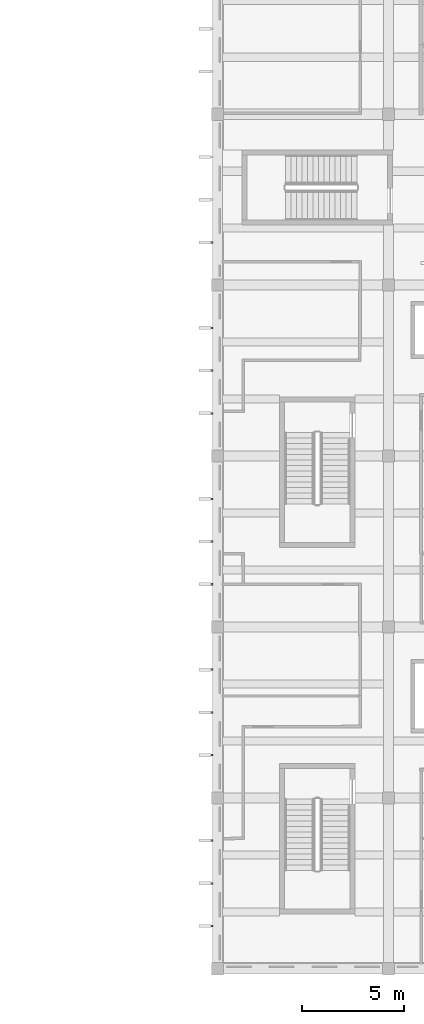
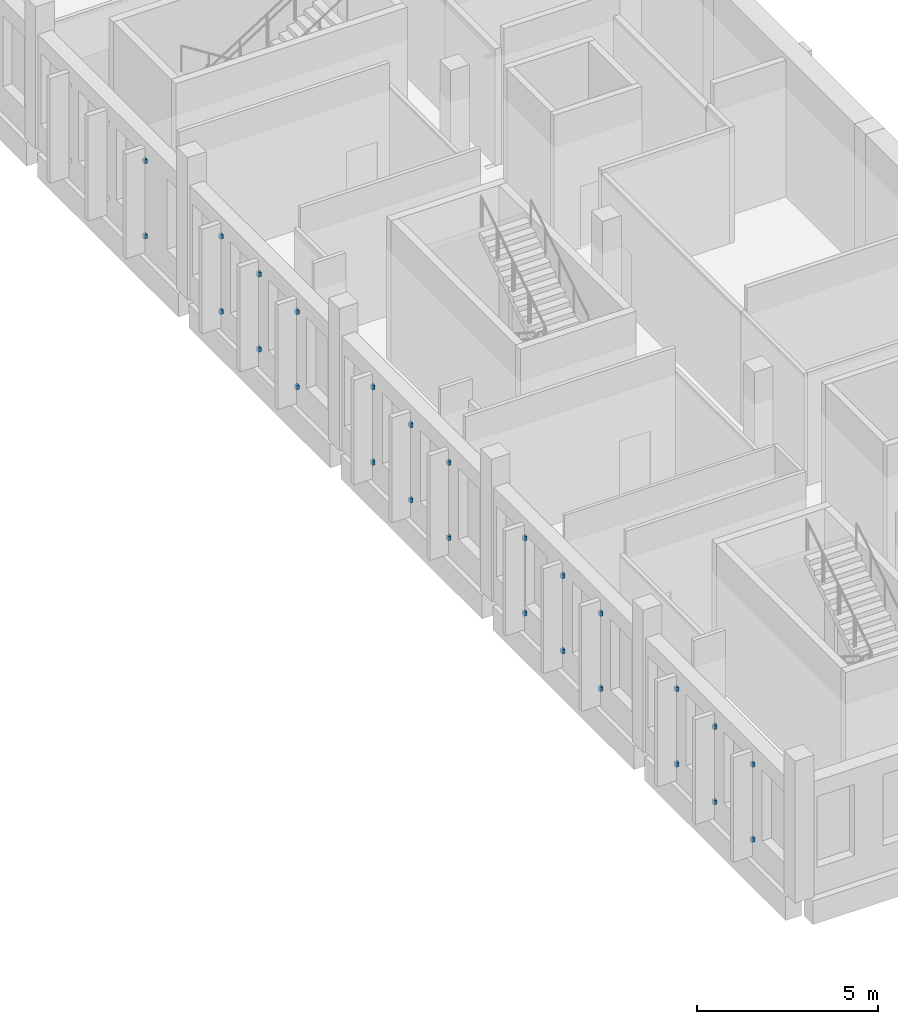
# One storey, part 73 of 103: 26 discrete accessories.
"""IFC4 building model written with IfcOpenShell, lengths in metres."""

import ifcopenshell
import ifcopenshell.guid

model = None  # the IFC model being written
_history = None  # IfcOwnerHistory: only IFC2X3 demands one
_inside = {}  # id of a spatial element -> (the spatial element, [elements in it])
_under = {}  # id of a project, library or spatial element -> (it, [spatial elements below it])
_declared = {}  # id of a project -> (the project, [libraries it declares])
_typed = {}  # id of a type object -> (the type object, [elements of that type])
_made_of = {}  # id of a material, layer set ... -> (it, [elements and type objects made of it])


def new_model(schema):
    """Start an empty IFC model of exactly this schema.

    Asked for "IFC4X3", IfcOpenShell would pick the latest addendum, in which some entities
    have other attributes; the version numbers below select the first issue.
    IFC2X3 requires an IfcOwnerHistory on every rooted entity: one is made here for all.
    """
    global model, _history
    if schema == "IFC4X3":
        model = ifcopenshell.file(schema_version=(4, 3, 0, 0))
    else:
        model = ifcopenshell.file(schema=schema)
    _inside.clear()
    _under.clear()
    _declared.clear()
    _typed.clear()
    _made_of.clear()
    _history = None
    if model.schema == "IFC2X3":
        org = make("IfcOrganization", Name="unknown")
        user = make(
            "IfcPersonAndOrganization",
            ThePerson=make("IfcPerson", FamilyName="unknown"),
            TheOrganization=org,
        )
        app = make(
            "IfcApplication",
            ApplicationDeveloper=org,
            Version="unknown",
            ApplicationFullName="unknown",
            ApplicationIdentifier="unknown",
        )
        _history = make(
            "IfcOwnerHistory",
            OwningUser=user,
            OwningApplication=app,
            ChangeAction="ADDED",
            CreationDate=0,
        )
    return model


def make(cls, **values):
    """One entity of the class cls with the attributes given. An attribute that is None is left unset."""
    return model.create_entity(
        cls, **{name: value for name, value in values.items() if value is not None}
    )


def rooted(cls, **values):
    """An entity with a GlobalId (a new one), such as an element, a storey or a relation."""
    return make(cls, GlobalId=ifcopenshell.guid.new(), OwnerHistory=_history, **values)


def si_unit(unit_type, name, prefix=None):
    """IfcSIUnit, for example si_unit("LENGTHUNIT", "METRE", prefix="MILLI")."""
    return make("IfcSIUnit", UnitType=unit_type, Prefix=prefix, Name=name)


def assignment(units):
    """IfcUnitAssignment: the units of a project."""
    return None if units is None else make("IfcUnitAssignment", Units=units)


def point(xyz):
    """IfcCartesianPoint."""
    return None if xyz is None else make("IfcCartesianPoint", Coordinates=xyz)


def direction(xyz):
    """IfcDirection."""
    return None if xyz is None else make("IfcDirection", DirectionRatios=xyz)


def frame(location, z_axis=None, x_axis=None):
    """IfcAxis2Placement3D, a coordinate frame: its origin and axes. An axis left out is left unset."""
    return make(
        "IfcAxis2Placement3D",
        Location=point(location),
        Axis=direction(z_axis),
        RefDirection=direction(x_axis),
    )


def frame_2d(location, x_axis=None):
    """IfcAxis2Placement2D, a coordinate frame in the plane: its origin and x axis."""
    return make(
        "IfcAxis2Placement2D", Location=point(location), RefDirection=direction(x_axis)
    )


def origin():
    """The frame at (0, 0, 0) with its axes left unset."""
    return frame((0.0, 0.0, 0.0))


def origin_2d():
    """The frame at (0, 0) in the plane with its x axis left unset."""
    return frame_2d((0.0, 0.0))


def place(relative_to, where):
    """IfcLocalPlacement: puts the frame where relative to a parent placement (None: the world)."""
    return make(
        "IfcLocalPlacement", PlacementRelTo=relative_to, RelativePlacement=where
    )


def context(
    kind, dimensions, precision=None, world=None, true_north=None, identifier=None
):
    """IfcGeometricRepresentationContext, for example the 3D "Model" context."""
    return make(
        "IfcGeometricRepresentationContext",
        ContextIdentifier=identifier,
        ContextType=kind,
        CoordinateSpaceDimension=dimensions,
        Precision=precision,
        WorldCoordinateSystem=world,
        TrueNorth=true_north,
    )


def subcontext(parent, identifier, kind, view, scale=None):
    """IfcGeometricRepresentationSubContext, for example "Body" below "Model"."""
    return make(
        "IfcGeometricRepresentationSubContext",
        ContextIdentifier=identifier,
        ContextType=kind,
        ParentContext=parent,
        TargetScale=scale,
        TargetView=view,
    )


def project(units=None, contexts=None):
    """IfcProject with its units and contexts."""
    return rooted(
        "IfcProject",
        Name="project",
        RepresentationContexts=contexts,
        UnitsInContext=assignment(units),
    )


def spatial(cls, under=None, at=None, **own):
    """A site, building, storey or space (cls), placed at a placement, below another one or the project."""
    s = rooted(cls, ObjectPlacement=at, **own)
    if under is not None:
        _under.setdefault(under.id(), (under, []))[1].append(s)
    return s


def profile(cls, at=None, kind="AREA", **sizes):
    """A parametric profile (cls). Its sizes go by their IFC names, for example OverallWidth=200.0."""
    return make(cls, ProfileType=kind, Position=at, **sizes)


def rectangle(**sizes):
    """IfcRectangleProfileDef."""
    return profile("IfcRectangleProfileDef", **sizes)


def extrude(swept, where, along, depth):
    """IfcExtrudedAreaSolid: the profile swept, set in the frame where, extruded along a direction by depth."""
    return make(
        "IfcExtrudedAreaSolid",
        SweptArea=swept,
        Position=where,
        ExtrudedDirection=direction(along),
        Depth=depth,
    )


def shape(context_of_items, identifier, shape_type, items):
    """IfcShapeRepresentation: the items that make up one representation, for example the "Body"."""
    return make(
        "IfcShapeRepresentation",
        ContextOfItems=context_of_items,
        RepresentationIdentifier=identifier,
        RepresentationType=shape_type,
        Items=items,
    )


def material(Name=None, Category=None):
    """IfcMaterial."""
    return make("IfcMaterial", Name=Name, Category=Category)


def layer(
    of_material, thickness, ventilated=None, Name=None, Category=None, Priority=None
):
    """IfcMaterialLayer: one layer of a wall or slab, of a material (None: an air gap)."""
    return make(
        "IfcMaterialLayer",
        Material=of_material,
        LayerThickness=thickness,
        IsVentilated=ventilated,
        Name=Name,
        Category=Category,
        Priority=Priority,
    )


def layer_set(layers, Name=None):
    """IfcMaterialLayerSet."""
    return make("IfcMaterialLayerSet", MaterialLayers=layers, LayerSetName=Name)


def made_of(thing, what):
    """Note that an element or type object is made of a material, layer set ...; save() writes the relation."""
    if what is not None:
        _made_of.setdefault(what.id(), (what, []))[1].append(thing)
    return thing


def type_object(cls, material=None, **own):
    """A type object (cls), such as IfcWallType, which elements share."""
    return made_of(rooted(cls, **own), material)


def element(
    cls,
    number,
    at=None,
    inside=None,
    cuts=None,
    type_object=None,
    material=None,
    context=None,
    identifier="Body",
    shape_type=None,
    held_by="IfcProductDefinitionShape",
    body=None,
    shapes=None,
    **own,
):
    """One element of the class cls, such as IfcWall. Its Tag is "e" and its number.

    at: its placement. inside: the storey or other place that contains it. cuts: it is an
    opening in that element (IfcRelVoidsElement). A single representation is given by context,
    identifier, shape_type and body (its items); several are given by shapes. held_by: the class
    of the entity that holds the representations. save() writes the other relations.
    """
    e = rooted(cls, Tag="e%d" % number, ObjectPlacement=at, **own)
    if body is not None:
        shapes = [shape(context, identifier, shape_type, body)]
    if shapes is not None:
        e.Representation = make(held_by, Representations=shapes)
    if inside is not None:
        _inside.setdefault(inside.id(), (inside, []))[1].append(e)
    if cuts is not None:
        rooted(
            "IfcRelVoidsElement", RelatingBuildingElement=cuts, RelatedOpeningElement=e
        )
    if type_object is not None:
        _typed.setdefault(type_object.id(), (type_object, []))[1].append(e)
    return made_of(e, material)


def aggregate(whole, parts):
    """IfcRelAggregates: a whole, such as a stair, and the parts it consists of."""
    return rooted("IfcRelAggregates", RelatingObject=whole, RelatedObjects=parts)


def save(model, path):
    """Write the relations noted so far, then the file.

    IfcRelAggregates (storeys below a building ...), IfcRelContainedInSpatialStructure (elements
    in a storey), IfcRelDefinesByType, IfcRelAssociatesMaterial and IfcRelDeclares: one each for
    every whole, place, type object, material and project.
    """
    for whole, parts in _under.values():
        aggregate(whole, parts)
    for where, things in _inside.values():
        rooted(
            "IfcRelContainedInSpatialStructure",
            RelatedElements=things,
            RelatingStructure=where,
        )
    for kind, things in _typed.values():
        rooted("IfcRelDefinesByType", RelatedObjects=things, RelatingType=kind)
    for what, things in _made_of.values():
        rooted("IfcRelAssociatesMaterial", RelatedObjects=things, RelatingMaterial=what)
    for by, libraries in _declared.values():
        rooted("IfcRelDeclares", RelatingContext=by, RelatedDefinitions=libraries)
    model.write(path)


model = new_model("IFC4")

# Units and contexts
model_context = context("Model", 3, precision=1e-05, world=origin(), true_north=direction((0.0, 1.0)))
body_context = subcontext(model_context, "Body", "Model", "MODEL_VIEW")
ifc_project = project(units=[si_unit("LENGTHUNIT", "METRE"), si_unit("AREAUNIT", "SQUARE_METRE"), si_unit("VOLUMEUNIT", "CUBIC_METRE"), si_unit("PLANEANGLEUNIT", "RADIAN"), si_unit("MASSUNIT", "GRAM", prefix="KILO")], contexts=[model_context])

# Site, building, storey
site_placement = place(None, origin())
site = spatial("IfcSite", under=ifc_project, at=site_placement, CompositionType="ELEMENT")
building_placement = place(site_placement, origin())
building = spatial("IfcBuilding", under=site, at=building_placement, Name="Larchfold Concert Hall", CompositionType="ELEMENT")
storey_placement = place(building_placement, frame((0.0, 0.0, 9.60009765625)))
storey = spatial("IfcBuildingStorey", under=building, at=storey_placement, Name="L02", CompositionType="ELEMENT", Elevation=9.60009765625)

# Discrete accessories
ifc_material = material(Name="Steel S355 galvanised bracket", Category="steel")
ifc_layer = layer(ifc_material, 0.10009765625)
ifc_layer_set = layer_set([ifc_layer], Name="Steel S355 galvanised bracket")
discrete_accessory_type = type_object("IfcDiscreteAccessoryType", Name="Fin support bracket", PredefinedType="BRACKET", material=ifc_layer_set)
for number, where, z_axis, x_axis, name in (
    (1, (84.3251953125, 36.300048828125, 0.6298828125), (0.0, 0.0, 1.0), (-1.0, 0.0, 0.0), "Fin bracket FN-L02-050-1"),
    (2, (84.3251953125, 36.300048828125, 3.169921875), (0.0, 0.0, 1.0), (-1.0, 0.0, 0.0), "Fin bracket FN-L02-050-2"),
    (3, (84.3251953125, 27.89990234375, 0.6298828125), (0.0, 0.0, 1.0), (-1.0, 0.0, 0.0), "Fin bracket FN-L02-053-1"),
    (4, (84.3251953125, 27.89990234375, 3.169921875), (0.0, 0.0, 1.0), (-1.0, 0.0, 0.0), "Fin bracket FN-L02-053-2"),
    (5, (84.3251953125, 30.0, 0.6298828125), (0.0, 0.0, 1.0), (-1.0, 0.0, 0.0), "Fin bracket FN-L02-054-1"),
    (6, (84.3251953125, 30.0, 3.169921875), (0.0, 0.0, 1.0), (-1.0, 0.0, 0.0), "Fin bracket FN-L02-054-2"),
    (7, (84.3251953125, 32.10009765625, 0.6298828125), (0.0, 0.0, 1.0), (-1.0, 0.0, 0.0), "Fin bracket FN-L02-055-1"),
    (8, (84.3251953125, 32.10009765625, 3.169921875), (0.0, 0.0, 1.0), (-1.0, 0.0, 0.0), "Fin bracket FN-L02-055-2"),
    (9, (84.3251953125, 19.5, 0.6298828125), (0.0, 0.0, 1.0), (-1.0, 0.0, 0.0), "Fin bracket FN-L02-056-1"),
    (10, (84.3251953125, 19.5, 3.169921875), (0.0, 0.0, 1.0), (-1.0, 0.0, 0.0), "Fin bracket FN-L02-056-2"),
    (11, (84.3251953125, 21.60009765625, 0.6298828125), (0.0, 0.0, 1.0), (-1.0, 0.0, 0.0), "Fin bracket FN-L02-057-1"),
    (12, (84.3251953125, 21.60009765625, 3.169921875), (0.0, 0.0, 1.0), (-1.0, 0.0, 0.0), "Fin bracket FN-L02-057-2"),
    (13, (84.3251953125, 23.699951171875, 0.6298828125), (0.0, 0.0, 1.0), (-1.0, 0.0, 0.0), "Fin bracket FN-L02-058-1"),
    (14, (84.3251953125, 23.699951171875, 3.169921875), (0.0, 0.0, 1.0), (-1.0, 0.0, 0.0), "Fin bracket FN-L02-058-2"),
    (15, (84.3251953125, 11.10009765625, 0.6298828125), (0.0, 0.0, 1.0), (-1.0, 0.0, 0.0), "Fin bracket FN-L02-059-1"),
    (16, (84.3251953125, 11.10009765625, 3.169921875), (0.0, 0.0, 1.0), (-1.0, 0.0, 0.0), "Fin bracket FN-L02-059-2"),
    (17, (84.3251953125, 13.199951171875, 0.6298828125), (0.0, 0.0, 1.0), (-1.0, 0.0, 0.0), "Fin bracket FN-L02-060-1"),
    (18, (84.3251953125, 13.199951171875, 3.169921875), (0.0, 0.0, 1.0), (-1.0, 0.0, 0.0), "Fin bracket FN-L02-060-2"),
    (19, (84.3251953125, 15.300048828125, 0.6298828125), (0.0, 0.0, 1.0), (-1.0, 0.0, 0.0), "Fin bracket FN-L02-061-1"),
    (20, (84.3251953125, 15.300048828125, 3.169921875), (0.0, 0.0, 1.0), (-1.0, 0.0, 0.0), "Fin bracket FN-L02-061-2"),
    (21, (84.3251953125, 2.699951171875, 0.6298828125), (0.0, 0.0, 1.0), (-1.0, 0.0, 0.0), "Fin bracket FN-L02-062-1"),
    (22, (84.3251953125, 2.699951171875, 3.169921875), (0.0, 0.0, 1.0), (-1.0, 0.0, 0.0), "Fin bracket FN-L02-062-2"),
    (23, (84.3251953125, 4.800048828125, 0.6298828125), (0.0, 0.0, 1.0), (-1.0, 0.0, 0.0), "Fin bracket FN-L02-063-1"),
    (24, (84.3251953125, 4.800048828125, 3.169921875), (0.0, 0.0, 1.0), (-1.0, 0.0, 0.0), "Fin bracket FN-L02-063-2"),
    (25, (84.3251953125, 6.89990234375, 0.6298828125), (0.0, 0.0, 1.0), (-1.0, 0.0, 0.0), "Fin bracket FN-L02-064-1"),
    (26, (84.3251953125, 6.89990234375, 3.169921875), (0.0, 0.0, 1.0), (-1.0, 0.0, 0.0), "Fin bracket FN-L02-064-2"),
):
    element("IfcDiscreteAccessory", number, at=place(storey_placement, frame(where, z_axis=z_axis, x_axis=x_axis)), inside=storey, type_object=discrete_accessory_type, Name=name, PredefinedType="BRACKET", context=body_context, shape_type="SweptSolid", body=[
        extrude(rectangle(XDim=0.10009765625, YDim=0.10009765625, at=origin_2d()), origin(), (0.0, 0.0, 1.0), 0.139892578125),
    ])

save(model, "model.ifc")
